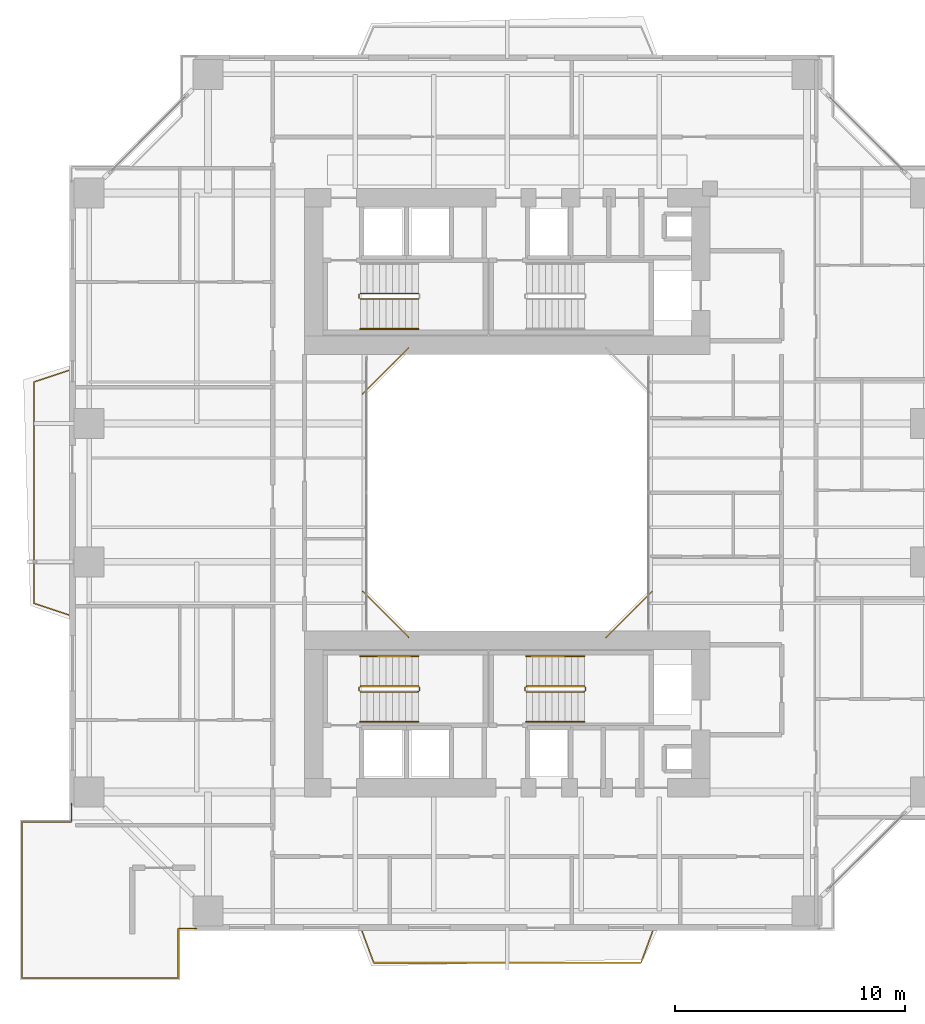
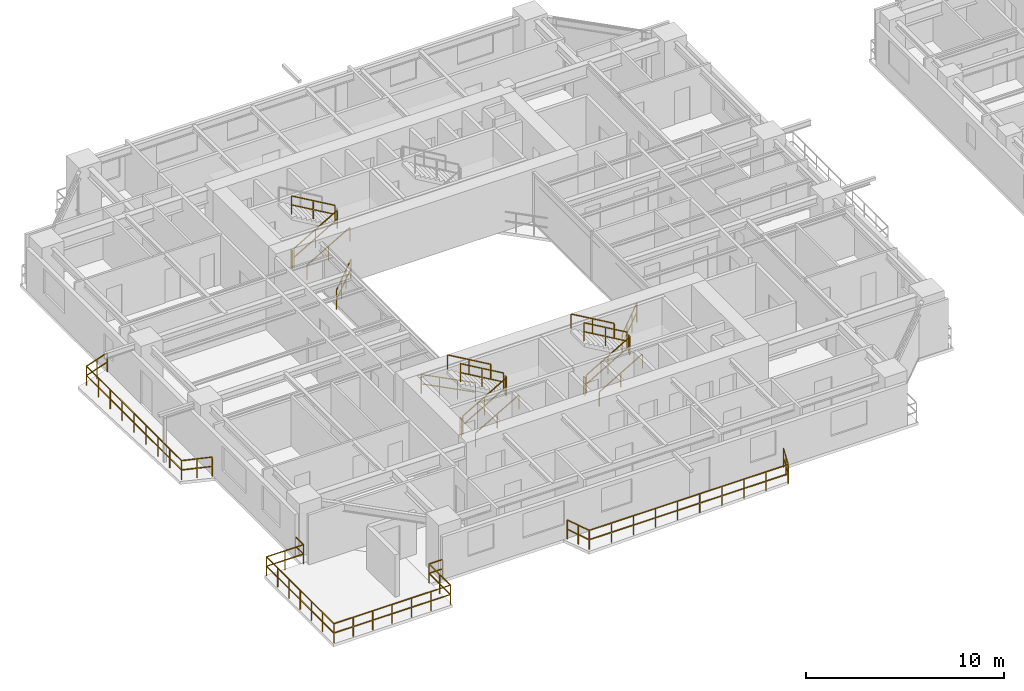
# One storey, part 19 of 22: 22 railings.
"""IFC4 building model written with IfcOpenShell, lengths in metres."""

from ifc_helpers import new_model, si_unit, direction, frame, origin, origin_2d, place, context, subcontext, project, spatial, rectangle, extrude, material, type_object, element, save


model = new_model("IFC4")

# Units and contexts
model_context = context("Model", 3, precision=1e-05, world=origin(), true_north=direction((0.0, 1.0)))
body_context = subcontext(model_context, "Body", "Model", "MODEL_VIEW")
ifc_project = project(units=[si_unit("LENGTHUNIT", "METRE"), si_unit("AREAUNIT", "SQUARE_METRE"), si_unit("VOLUMEUNIT", "CUBIC_METRE"), si_unit("PLANEANGLEUNIT", "RADIAN"), si_unit("MASSUNIT", "GRAM", prefix="KILO"), si_unit("THERMODYNAMICTEMPERATUREUNIT", "KELVIN"), si_unit("POWERUNIT", "WATT")], contexts=[model_context])

# Site, building, storey
site_placement = place(None, origin())
site = spatial("IfcSite", under=ifc_project, at=site_placement, CompositionType="ELEMENT")
building_placement = place(site_placement, origin())
building = spatial("IfcBuilding", under=site, at=building_placement, Name="Qiaomeng Ring Towers", CompositionType="ELEMENT")
storey_placement = place(building_placement, frame((0.0, 0.0, 53.5)))
storey = spatial("IfcBuildingStorey", under=building, at=storey_placement, Name="L14", CompositionType="ELEMENT", Elevation=53.5)

# Railings
ifc_material_1 = material(Name="Low-E pale-green laminated safety glass", Category="glass")
railing_type_1 = type_object("IfcRailingType", Name="ARC-RL-BAL1", PredefinedType="BALUSTRADE", material=ifc_material_1)
railing_1_placement = place(storey_placement, frame((23.280029296875, 16.719970703125, 0.0)))
element("IfcRailing", 1, at=railing_1_placement, inside=storey, type_object=railing_type_1, Name="L14 Balustrade ARC-BAL-WELL1-L14-1", PredefinedType="BALUSTRADE", context=body_context, shape_type="SweptSolid", body=[
    extrude(rectangle(XDim=0.048095703125, YDim=0.048095703125, at=origin_2d()), frame((0.0, 0.0, 1.17578125), z_axis=(0.707106781187, 0.707106781187, 0.0), x_axis=(-0.707106781187, 0.707106781187, 0.0)), (0.0, 0.0, 1.0), 2.828369140625),
    extrude(rectangle(XDim=0.048095703125, YDim=0.048095703125, at=origin_2d()), frame((0.0, 0.0, 0.60009765625), z_axis=(0.707106781187, 0.707106781187, 0.0), x_axis=(-0.707106781187, 0.707106781187, 0.0)), (0.0, 0.0, 1.0), 2.828369140625),
    extrude(rectangle(XDim=0.0419921875, YDim=0.0419921875, at=origin_2d()), origin(), (0.0, 0.0, 1.0), 1.15185546875),
    extrude(rectangle(XDim=0.0419921875, YDim=0.0419921875, at=origin_2d()), frame((0.666748046875, 0.666748046875, 0.0)), (0.0, 0.0, 1.0), 1.15185546875),
    extrude(rectangle(XDim=0.0419921875, YDim=0.0419921875, at=origin_2d()), frame((1.333251953125, 1.333251953125, 0.0)), (0.0, 0.0, 1.0), 1.15185546875),
    extrude(rectangle(XDim=0.0419921875, YDim=0.0419921875, at=origin_2d()), frame((2.0, 2.0, 0.0)), (0.0, 0.0, 1.0), 1.15185546875),
])
railing_2_placement = place(storey_placement, frame((14.719970703125, 29.280029296875, 0.0)))
element("IfcRailing", 2, at=railing_2_placement, inside=storey, type_object=railing_type_1, Name="L14 Balustrade ARC-BAL-WELL1-L14-3", PredefinedType="BALUSTRADE", context=body_context, shape_type="SweptSolid", body=[
    extrude(rectangle(XDim=0.048095703125, YDim=0.048095703125, at=origin_2d()), frame((0.0, 0.0, 1.17578125), z_axis=(-0.707106781187, -0.707106781187, 0.0), x_axis=(0.707106781187, -0.707106781187, 0.0)), (0.0, 0.0, 1.0), 2.828369140625),
    extrude(rectangle(XDim=0.048095703125, YDim=0.048095703125, at=origin_2d()), frame((0.0, 0.0, 0.60009765625), z_axis=(-0.707106781187, -0.707106781187, 0.0), x_axis=(0.707106781187, -0.707106781187, 0.0)), (0.0, 0.0, 1.0), 2.828369140625),
    extrude(rectangle(XDim=0.0419921875, YDim=0.0419921875, at=origin_2d()), origin(), (0.0, 0.0, 1.0), 1.15185546875),
    extrude(rectangle(XDim=0.0419921875, YDim=0.0419921875, at=origin_2d()), frame((-0.666748046875, -0.666748046875, 0.0)), (0.0, 0.0, 1.0), 1.15185546875),
    extrude(rectangle(XDim=0.0419921875, YDim=0.0419921875, at=origin_2d()), frame((-1.333251953125, -1.333251953125, 0.0)), (0.0, 0.0, 1.0), 1.15185546875),
    extrude(rectangle(XDim=0.0419921875, YDim=0.0419921875, at=origin_2d()), frame((-2.0, -2.0, 0.0)), (0.0, 0.0, 1.0), 1.15185546875),
])
railing_3_placement = place(storey_placement, frame((12.719970703125, 18.719970703125, 0.0)))
element("IfcRailing", 3, at=railing_3_placement, inside=storey, type_object=railing_type_1, Name="L14 Balustrade ARC-BAL-WELL1-L14-4", PredefinedType="BALUSTRADE", context=body_context, shape_type="SweptSolid", body=[
    extrude(rectangle(XDim=0.048095703125, YDim=0.048095703125, at=origin_2d()), frame((0.0, 0.0, 1.17578125), z_axis=(0.707106781187, -0.707106781187, 0.0), x_axis=(0.707106781187, 0.707106781187, 0.0)), (0.0, 0.0, 1.0), 2.828369140625),
    extrude(rectangle(XDim=0.048095703125, YDim=0.048095703125, at=origin_2d()), frame((0.0, 0.0, 0.60009765625), z_axis=(0.707106781187, -0.707106781187, 0.0), x_axis=(0.707106781187, 0.707106781187, 0.0)), (0.0, 0.0, 1.0), 2.828369140625),
    extrude(rectangle(XDim=0.0419921875, YDim=0.0419921875, at=origin_2d()), origin(), (0.0, 0.0, 1.0), 1.15185546875),
    extrude(rectangle(XDim=0.0419921875, YDim=0.0419921875, at=origin_2d()), frame((0.666748046875, -0.666748046875, 0.0)), (0.0, 0.0, 1.0), 1.15185546875),
    extrude(rectangle(XDim=0.0419921875, YDim=0.0419921875, at=origin_2d()), frame((1.333251953125, -1.333251953125, 0.0)), (0.0, 0.0, 1.0), 1.15185546875),
    extrude(rectangle(XDim=0.0419921875, YDim=0.0419921875, at=origin_2d()), frame((2.0, -2.0, 0.0)), (0.0, 0.0, 1.0), 1.15185546875),
])
railing_4_placement = place(storey_placement, frame((0.080078125, 9.52001953125, 0.0)))
element("IfcRailing", 4, at=railing_4_placement, inside=storey, type_object=railing_type_1, Name="L14 Balustrade ARC-BAL-L14-SPIRAL-SW", PredefinedType="BALUSTRADE", context=body_context, shape_type="SweptSolid", body=[
    extrude(rectangle(XDim=0.048095703125, YDim=0.048095703125, at=origin_2d()), frame((0.0, 0.0, 1.17578125), z_axis=(0.0, -1.0, 0.0), x_axis=(1.0, 0.0, 0.0)), (0.0, 0.0, 1.0), 0.800048828125),
    extrude(rectangle(XDim=0.048095703125, YDim=0.048095703125, at=origin_2d()), frame((0.0, 0.0, 0.60009765625), z_axis=(0.0, -1.0, 0.0), x_axis=(1.0, 0.0, 0.0)), (0.0, 0.0, 1.0), 0.800048828125),
    extrude(rectangle(XDim=0.048095703125, YDim=0.048095703125, at=origin_2d()), frame((0.0, -0.800048828125, 1.17578125), z_axis=(-1.0, 0.0, 0.0), x_axis=(0.0, -1.0, 0.0)), (0.0, 0.0, 1.0), 2.150146484375),
    extrude(rectangle(XDim=0.048095703125, YDim=0.048095703125, at=origin_2d()), frame((0.0, -0.800048828125, 0.60009765625), z_axis=(-1.0, 0.0, 0.0), x_axis=(0.0, -1.0, 0.0)), (0.0, 0.0, 1.0), 2.150146484375),
    extrude(rectangle(XDim=0.048095703125, YDim=0.048095703125, at=origin_2d()), frame((-2.150146484375, -0.800048828125, 1.17578125), z_axis=(0.0, -1.0, 0.0), x_axis=(1.0, 0.0, 0.0)), (0.0, 0.0, 1.0), 6.7900390625),
    extrude(rectangle(XDim=0.048095703125, YDim=0.048095703125, at=origin_2d()), frame((-2.150146484375, -0.800048828125, 0.60009765625), z_axis=(0.0, -1.0, 0.0), x_axis=(1.0, 0.0, 0.0)), (0.0, 0.0, 1.0), 6.7900390625),
    extrude(rectangle(XDim=0.048095703125, YDim=0.048095703125, at=origin_2d()), frame((-2.150146484375, -7.590087890625, 1.17578125), z_axis=(1.0, 0.0, 0.0), x_axis=(0.0, 1.0, 0.0)), (0.0, 0.0, 1.0), 6.7900390625),
    extrude(rectangle(XDim=0.048095703125, YDim=0.048095703125, at=origin_2d()), frame((-2.150146484375, -7.590087890625, 0.60009765625), z_axis=(1.0, 0.0, 0.0), x_axis=(0.0, 1.0, 0.0)), (0.0, 0.0, 1.0), 6.7900390625),
    extrude(rectangle(XDim=0.048095703125, YDim=0.048095703125, at=origin_2d()), frame((4.639892578125, -7.590087890625, 1.17578125), z_axis=(0.0, 1.0, 0.0), x_axis=(-1.0, 0.0, 0.0)), (0.0, 0.0, 1.0), 2.150146484375),
    extrude(rectangle(XDim=0.048095703125, YDim=0.048095703125, at=origin_2d()), frame((4.639892578125, -7.590087890625, 0.60009765625), z_axis=(0.0, 1.0, 0.0), x_axis=(-1.0, 0.0, 0.0)), (0.0, 0.0, 1.0), 2.150146484375),
    extrude(rectangle(XDim=0.048095703125, YDim=0.048095703125, at=origin_2d()), frame((4.639892578125, -5.43994140625, 1.17578125), z_axis=(1.0, 0.0, 0.0), x_axis=(0.0, 1.0, 0.0)), (0.0, 0.0, 1.0), 0.800048828125),
    extrude(rectangle(XDim=0.048095703125, YDim=0.048095703125, at=origin_2d()), frame((4.639892578125, -5.43994140625, 0.60009765625), z_axis=(1.0, 0.0, 0.0), x_axis=(0.0, 1.0, 0.0)), (0.0, 0.0, 1.0), 0.800048828125),
    extrude(rectangle(XDim=0.0419921875, YDim=0.0419921875, at=origin_2d()), origin(), (0.0, 0.0, 1.0), 1.15185546875),
    extrude(rectangle(XDim=0.0419921875, YDim=0.0419921875, at=origin_2d()), frame((0.0, -0.800048828125, 0.0)), (0.0, 0.0, 1.0), 1.15185546875),
    extrude(rectangle(XDim=0.0419921875, YDim=0.0419921875, at=origin_2d()), frame((-1.0751953125, -0.800048828125, 0.0)), (0.0, 0.0, 1.0), 1.15185546875),
    extrude(rectangle(XDim=0.0419921875, YDim=0.0419921875, at=origin_2d()), frame((-2.150146484375, -0.800048828125, 0.0)), (0.0, 0.0, 1.0), 1.15185546875),
    extrude(rectangle(XDim=0.0419921875, YDim=0.0419921875, at=origin_2d()), frame((-2.150146484375, -1.931640625, 0.0)), (0.0, 0.0, 1.0), 1.15185546875),
    extrude(rectangle(XDim=0.0419921875, YDim=0.0419921875, at=origin_2d()), frame((-2.150146484375, -3.0634765625, 0.0)), (0.0, 0.0, 1.0), 1.15185546875),
    extrude(rectangle(XDim=0.0419921875, YDim=0.0419921875, at=origin_2d()), frame((-2.150146484375, -4.195068359375, 0.0)), (0.0, 0.0, 1.0), 1.15185546875),
    extrude(rectangle(XDim=0.0419921875, YDim=0.0419921875, at=origin_2d()), frame((-2.150146484375, -5.32666015625, 0.0)), (0.0, 0.0, 1.0), 1.15185546875),
    extrude(rectangle(XDim=0.0419921875, YDim=0.0419921875, at=origin_2d()), frame((-2.150146484375, -6.45849609375, 0.0)), (0.0, 0.0, 1.0), 1.15185546875),
    extrude(rectangle(XDim=0.0419921875, YDim=0.0419921875, at=origin_2d()), frame((-2.150146484375, -7.590087890625, 0.0)), (0.0, 0.0, 1.0), 1.15185546875),
    extrude(rectangle(XDim=0.0419921875, YDim=0.0419921875, at=origin_2d()), frame((-1.0185546875, -7.590087890625, 0.0)), (0.0, 0.0, 1.0), 1.15185546875),
    extrude(rectangle(XDim=0.0419921875, YDim=0.0419921875, at=origin_2d()), frame((0.11328125, -7.590087890625, 0.0)), (0.0, 0.0, 1.0), 1.15185546875),
    extrude(rectangle(XDim=0.0419921875, YDim=0.0419921875, at=origin_2d()), frame((1.244873046875, -7.590087890625, 0.0)), (0.0, 0.0, 1.0), 1.15185546875),
    extrude(rectangle(XDim=0.0419921875, YDim=0.0419921875, at=origin_2d()), frame((2.37646484375, -7.590087890625, 0.0)), (0.0, 0.0, 1.0), 1.15185546875),
    extrude(rectangle(XDim=0.0419921875, YDim=0.0419921875, at=origin_2d()), frame((3.50830078125, -7.590087890625, 0.0)), (0.0, 0.0, 1.0), 1.15185546875),
    extrude(rectangle(XDim=0.0419921875, YDim=0.0419921875, at=origin_2d()), frame((4.639892578125, -7.590087890625, 0.0)), (0.0, 0.0, 1.0), 1.15185546875),
    extrude(rectangle(XDim=0.0419921875, YDim=0.0419921875, at=origin_2d()), frame((4.639892578125, -6.51513671875, 0.0)), (0.0, 0.0, 1.0), 1.15185546875),
    extrude(rectangle(XDim=0.0419921875, YDim=0.0419921875, at=origin_2d()), frame((4.639892578125, -5.43994140625, 0.0)), (0.0, 0.0, 1.0), 1.15185546875),
    extrude(rectangle(XDim=0.0419921875, YDim=0.0419921875, at=origin_2d()), frame((5.43994140625, -5.43994140625, 0.0)), (0.0, 0.0, 1.0), 1.15185546875),
])
railing_5_placement = place(storey_placement, frame((12.699951171875, 3.949951171875, 0.0)))
element("IfcRailing", 5, at=railing_5_placement, inside=storey, type_object=railing_type_1, Name="L14 Balustrade ARC-BAL-L14-T1-S", PredefinedType="BALUSTRADE", context=body_context, shape_type="SweptSolid", body=[
    extrude(rectangle(XDim=0.048095703125, YDim=0.048095703125, at=origin_2d()), frame((0.0, 0.0, 1.17578125), z_axis=(0.347347498827, -0.937736484871, 0.0), x_axis=(0.937736484871, 0.347347498827, 0.0)), (0.0, 0.0, 1.0), 1.439453125),
    extrude(rectangle(XDim=0.048095703125, YDim=0.048095703125, at=origin_2d()), frame((0.0, 0.0, 0.60009765625), z_axis=(0.347347498827, -0.937736484871, 0.0), x_axis=(0.937736484871, 0.347347498827, 0.0)), (0.0, 0.0, 1.0), 1.439453125),
    extrude(rectangle(XDim=0.048095703125, YDim=0.048095703125, at=origin_2d()), frame((0.5, -1.349853515625, 1.17578125), z_axis=(1.0, 0.0, 0.0), x_axis=(0.0, 1.0, 0.0)), (0.0, 0.0, 1.0), 11.60009765625),
    extrude(rectangle(XDim=0.048095703125, YDim=0.048095703125, at=origin_2d()), frame((0.5, -1.349853515625, 0.60009765625), z_axis=(1.0, 0.0, 0.0), x_axis=(0.0, 1.0, 0.0)), (0.0, 0.0, 1.0), 11.60009765625),
    extrude(rectangle(XDim=0.048095703125, YDim=0.048095703125, at=origin_2d()), frame((12.10009765625, -1.349853515625, 1.17578125), z_axis=(0.347347498827, 0.937736484871, 0.0), x_axis=(-0.937736484871, 0.347347498827, 0.0)), (0.0, 0.0, 1.0), 1.439453125),
    extrude(rectangle(XDim=0.048095703125, YDim=0.048095703125, at=origin_2d()), frame((12.10009765625, -1.349853515625, 0.60009765625), z_axis=(0.347347498827, 0.937736484871, 0.0), x_axis=(-0.937736484871, 0.347347498827, 0.0)), (0.0, 0.0, 1.0), 1.439453125),
    extrude(rectangle(XDim=0.0419921875, YDim=0.0419921875, at=origin_2d()), origin(), (0.0, 0.0, 1.0), 1.15185546875),
    extrude(rectangle(XDim=0.0419921875, YDim=0.0419921875, at=origin_2d()), frame((0.25, -0.6748046875, 0.0)), (0.0, 0.0, 1.0), 1.15185546875),
    extrude(rectangle(XDim=0.0419921875, YDim=0.0419921875, at=origin_2d()), frame((0.5, -1.349853515625, 0.0)), (0.0, 0.0, 1.0), 1.15185546875),
    extrude(rectangle(XDim=0.0419921875, YDim=0.0419921875, at=origin_2d()), frame((1.788818359375, -1.349853515625, 0.0)), (0.0, 0.0, 1.0), 1.15185546875),
    extrude(rectangle(XDim=0.0419921875, YDim=0.0419921875, at=origin_2d()), frame((3.077880859375, -1.349853515625, 0.0)), (0.0, 0.0, 1.0), 1.15185546875),
    extrude(rectangle(XDim=0.0419921875, YDim=0.0419921875, at=origin_2d()), frame((4.36669921875, -1.349853515625, 0.0)), (0.0, 0.0, 1.0), 1.15185546875),
    extrude(rectangle(XDim=0.0419921875, YDim=0.0419921875, at=origin_2d()), frame((5.655517578125, -1.349853515625, 0.0)), (0.0, 0.0, 1.0), 1.15185546875),
    extrude(rectangle(XDim=0.0419921875, YDim=0.0419921875, at=origin_2d()), frame((6.944580078125, -1.349853515625, 0.0)), (0.0, 0.0, 1.0), 1.15185546875),
    extrude(rectangle(XDim=0.0419921875, YDim=0.0419921875, at=origin_2d()), frame((8.2333984375, -1.349853515625, 0.0)), (0.0, 0.0, 1.0), 1.15185546875),
    extrude(rectangle(XDim=0.0419921875, YDim=0.0419921875, at=origin_2d()), frame((9.522216796875, -1.349853515625, 0.0)), (0.0, 0.0, 1.0), 1.15185546875),
    extrude(rectangle(XDim=0.0419921875, YDim=0.0419921875, at=origin_2d()), frame((10.811279296875, -1.349853515625, 0.0)), (0.0, 0.0, 1.0), 1.15185546875),
    extrude(rectangle(XDim=0.0419921875, YDim=0.0419921875, at=origin_2d()), frame((12.10009765625, -1.349853515625, 0.0)), (0.0, 0.0, 1.0), 1.15185546875),
    extrude(rectangle(XDim=0.0419921875, YDim=0.0419921875, at=origin_2d()), frame((12.35009765625, -0.6748046875, 0.0)), (0.0, 0.0, 1.0), 1.15185546875),
    extrude(rectangle(XDim=0.0419921875, YDim=0.0419921875, at=origin_2d()), frame((12.60009765625, 0.0, 0.0)), (0.0, 0.0, 1.0), 1.15185546875),
])
railing_6_placement = place(storey_placement, frame((-0.050048828125, 17.699951171875, 0.0)))
element("IfcRailing", 6, at=railing_6_placement, inside=storey, type_object=railing_type_1, Name="L14 Balustrade ARC-BAL-L14-T1-W", PredefinedType="BALUSTRADE", context=body_context, shape_type="SweptSolid", body=[
    extrude(rectangle(XDim=0.048095703125, YDim=0.048095703125, at=origin_2d()), frame((0.0, 0.0, 1.17578125), z_axis=(-0.948683298051, 0.316227766017, 0.0), x_axis=(-0.316227766017, -0.948683298051, 0.0)), (0.0, 0.0, 1.0), 1.5810546875),
    extrude(rectangle(XDim=0.048095703125, YDim=0.048095703125, at=origin_2d()), frame((0.0, 0.0, 0.60009765625), z_axis=(-0.948683298051, 0.316227766017, 0.0), x_axis=(-0.316227766017, -0.948683298051, 0.0)), (0.0, 0.0, 1.0), 1.5810546875),
    extrude(rectangle(XDim=0.048095703125, YDim=0.048095703125, at=origin_2d()), frame((-1.5, 0.5, 1.17578125), z_axis=(0.0, 1.0, 0.0), x_axis=(-1.0, 0.0, 0.0)), (0.0, 0.0, 1.0), 9.60009765625),
    extrude(rectangle(XDim=0.048095703125, YDim=0.048095703125, at=origin_2d()), frame((-1.5, 0.5, 0.60009765625), z_axis=(0.0, 1.0, 0.0), x_axis=(-1.0, 0.0, 0.0)), (0.0, 0.0, 1.0), 9.60009765625),
    extrude(rectangle(XDim=0.048095703125, YDim=0.048095703125, at=origin_2d()), frame((-1.5, 10.10009765625, 1.17578125), z_axis=(0.948683298051, 0.316227766017, 0.0), x_axis=(-0.316227766017, 0.948683298051, 0.0)), (0.0, 0.0, 1.0), 1.5810546875),
    extrude(rectangle(XDim=0.048095703125, YDim=0.048095703125, at=origin_2d()), frame((-1.5, 10.10009765625, 0.60009765625), z_axis=(0.948683298051, 0.316227766017, 0.0), x_axis=(-0.316227766017, 0.948683298051, 0.0)), (0.0, 0.0, 1.0), 1.5810546875),
    extrude(rectangle(XDim=0.0419921875, YDim=0.0419921875, at=origin_2d()), origin(), (0.0, 0.0, 1.0), 1.15185546875),
    extrude(rectangle(XDim=0.0419921875, YDim=0.0419921875, at=origin_2d()), frame((-0.75, 0.25, 0.0)), (0.0, 0.0, 1.0), 1.15185546875),
    extrude(rectangle(XDim=0.0419921875, YDim=0.0419921875, at=origin_2d()), frame((-1.5, 0.5, 0.0)), (0.0, 0.0, 1.0), 1.15185546875),
    extrude(rectangle(XDim=0.0419921875, YDim=0.0419921875, at=origin_2d()), frame((-1.5, 1.699951171875, 0.0)), (0.0, 0.0, 1.0), 1.15185546875),
    extrude(rectangle(XDim=0.0419921875, YDim=0.0419921875, at=origin_2d()), frame((-1.5, 2.89990234375, 0.0)), (0.0, 0.0, 1.0), 1.15185546875),
    extrude(rectangle(XDim=0.0419921875, YDim=0.0419921875, at=origin_2d()), frame((-1.5, 4.10009765625, 0.0)), (0.0, 0.0, 1.0), 1.15185546875),
    extrude(rectangle(XDim=0.0419921875, YDim=0.0419921875, at=origin_2d()), frame((-1.5, 5.300048828125, 0.0)), (0.0, 0.0, 1.0), 1.15185546875),
    extrude(rectangle(XDim=0.0419921875, YDim=0.0419921875, at=origin_2d()), frame((-1.5, 6.5, 0.0)), (0.0, 0.0, 1.0), 1.15185546875),
    extrude(rectangle(XDim=0.0419921875, YDim=0.0419921875, at=origin_2d()), frame((-1.5, 7.7001953125, 0.0)), (0.0, 0.0, 1.0), 1.15185546875),
    extrude(rectangle(XDim=0.0419921875, YDim=0.0419921875, at=origin_2d()), frame((-1.5, 8.900146484375, 0.0)), (0.0, 0.0, 1.0), 1.15185546875),
    extrude(rectangle(XDim=0.0419921875, YDim=0.0419921875, at=origin_2d()), frame((-1.5, 10.10009765625, 0.0)), (0.0, 0.0, 1.0), 1.15185546875),
    extrude(rectangle(XDim=0.0419921875, YDim=0.0419921875, at=origin_2d()), frame((-0.75, 10.35009765625, 0.0)), (0.0, 0.0, 1.0), 1.15185546875),
    extrude(rectangle(XDim=0.0419921875, YDim=0.0419921875, at=origin_2d()), frame((0.0, 10.60009765625, 0.0)), (0.0, 0.0, 1.0), 1.15185546875),
])
ifc_material_2 = material(Name="Galvanised steel", Category="steel")
railing_type_2 = type_object("IfcRailingType", Name="ARC-RL-GUARD", PredefinedType="GUARDRAIL", material=ifc_material_2)
railing_7_placement = place(storey_placement, frame((12.6201171875, 31.39990234375, 0.16259765625)))
element("IfcRailing", 7, at=railing_7_placement, inside=storey, type_object=railing_type_2, Name="L14 ST1 stair guard 1", PredefinedType="GUARDRAIL", context=body_context, shape_type="SweptSolid", body=[
    extrude(rectangle(XDim=0.048095703125, YDim=0.048095703125, at=origin_2d()), frame((0.0, 0.0, 1.1259765625), z_axis=(0.864892226395, 0.0, 0.501957604506), x_axis=(0.0, 1.0, 0.0)), (0.0, 0.0, 1.0), 2.913330078125),
    extrude(rectangle(XDim=0.048095703125, YDim=0.048095703125, at=origin_2d()), frame((0.0, 0.0, 0.574951171875), z_axis=(0.864892226395, 0.0, 0.501957604506), x_axis=(0.0, 1.0, 0.0)), (0.0, 0.0, 1.0), 2.913330078125),
    extrude(rectangle(XDim=0.0419921875, YDim=0.0419921875, at=origin_2d()), origin(), (0.0, 0.0, 1.0), 1.101806640625),
    extrude(rectangle(XDim=0.0419921875, YDim=0.0419921875, at=origin_2d()), frame((1.259765625, 0.0, 0.731201171875)), (0.0, 0.0, 1.0), 1.101806640625),
    extrude(rectangle(XDim=0.0419921875, YDim=0.0419921875, at=origin_2d()), frame((2.519775390625, 0.0, 1.46240234375)), (0.0, 0.0, 1.0), 1.101806640625),
])
railing_8_placement = place(storey_placement, frame((15.139892578125, 31.639892578125, 1.78759765625)))
element("IfcRailing", 8, at=railing_8_placement, inside=storey, type_object=railing_type_2, Name="L14 ST1 stair guard 3", PredefinedType="GUARDRAIL", context=body_context, shape_type="SweptSolid", body=[
    extrude(rectangle(XDim=0.048095703125, YDim=0.048095703125, at=origin_2d()), frame((0.0, 0.0, 1.1259765625), z_axis=(-0.864892226395, 0.0, 0.501957604506), x_axis=(0.0, -1.0, 0.0)), (0.0, 0.0, 1.0), 2.913330078125),
    extrude(rectangle(XDim=0.048095703125, YDim=0.048095703125, at=origin_2d()), frame((0.0, 0.0, 0.574951171875), z_axis=(-0.864892226395, 0.0, 0.501957604506), x_axis=(0.0, -1.0, 0.0)), (0.0, 0.0, 1.0), 2.913330078125),
    extrude(rectangle(XDim=0.0419921875, YDim=0.0419921875, at=origin_2d()), origin(), (0.0, 0.0, 1.0), 1.101806640625),
    extrude(rectangle(XDim=0.0419921875, YDim=0.0419921875, at=origin_2d()), frame((-1.259765625, 0.0, 0.731201171875)), (0.0, 0.0, 1.0), 1.101806640625),
    extrude(rectangle(XDim=0.0419921875, YDim=0.0419921875, at=origin_2d()), frame((-2.519775390625, 0.0, 1.46240234375)), (0.0, 0.0, 1.0), 1.101806640625),
])
railing_9_placement = place(storey_placement, frame((12.570068359375, 31.449951171875, 0.0)))
element("IfcRailing", 9, at=railing_9_placement, inside=storey, type_object=railing_type_2, Name="L14 ST1 stair guard 4", PredefinedType="GUARDRAIL", context=body_context, shape_type="SweptSolid", body=[
    extrude(rectangle(XDim=0.048095703125, YDim=0.048095703125, at=origin_2d()), frame((0.0, 0.0, 1.1259765625), z_axis=(0.0, 1.0, 0.0), x_axis=(-1.0, 0.0, 0.0)), (0.0, 0.0, 1.0), 0.14013671875),
    extrude(rectangle(XDim=0.048095703125, YDim=0.048095703125, at=origin_2d()), frame((0.0, 0.0, 0.574951171875), z_axis=(0.0, 1.0, 0.0), x_axis=(-1.0, 0.0, 0.0)), (0.0, 0.0, 1.0), 0.14013671875),
    extrude(rectangle(XDim=0.0419921875, YDim=0.0419921875, at=origin_2d()), origin(), (0.0, 0.0, 1.0), 1.101806640625),
    extrude(rectangle(XDim=0.0419921875, YDim=0.0419921875, at=origin_2d()), frame((0.0, 0.14013671875, 0.0)), (0.0, 0.0, 1.0), 1.101806640625),
])
railing_10_placement = place(storey_placement, frame((12.6201171875, 14.360107421875, 0.16259765625)))
element("IfcRailing", 10, at=railing_10_placement, inside=storey, type_object=railing_type_2, Name="L14 ST3 stair guard 1", PredefinedType="GUARDRAIL", context=body_context, shape_type="SweptSolid", body=[
    extrude(rectangle(XDim=0.048095703125, YDim=0.048095703125, at=origin_2d()), frame((0.0, 0.0, 1.1259765625), z_axis=(0.864892226395, 0.0, 0.501957604506), x_axis=(0.0, 1.0, 0.0)), (0.0, 0.0, 1.0), 2.913330078125),
    extrude(rectangle(XDim=0.048095703125, YDim=0.048095703125, at=origin_2d()), frame((0.0, 0.0, 0.574951171875), z_axis=(0.864892226395, 0.0, 0.501957604506), x_axis=(0.0, 1.0, 0.0)), (0.0, 0.0, 1.0), 2.913330078125),
    extrude(rectangle(XDim=0.0419921875, YDim=0.0419921875, at=origin_2d()), origin(), (0.0, 0.0, 1.0), 1.101806640625),
    extrude(rectangle(XDim=0.0419921875, YDim=0.0419921875, at=origin_2d()), frame((1.259765625, 0.0, 0.731201171875)), (0.0, 0.0, 1.0), 1.101806640625),
    extrude(rectangle(XDim=0.0419921875, YDim=0.0419921875, at=origin_2d()), frame((2.519775390625, 0.0, 1.46240234375)), (0.0, 0.0, 1.0), 1.101806640625),
])
railing_11_placement = place(storey_placement, frame((15.18994140625, 14.409912109375, 1.625)))
element("IfcRailing", 11, at=railing_11_placement, inside=storey, type_object=railing_type_2, Name="L14 ST3 stair guard 2", PredefinedType="GUARDRAIL", context=body_context, shape_type="SweptSolid", body=[
    extrude(rectangle(XDim=0.048095703125, YDim=0.048095703125, at=origin_2d()), frame((0.0, 0.0, 1.1259765625), z_axis=(0.0, 1.0, 0.0), x_axis=(-1.0, 0.0, 0.0)), (0.0, 0.0, 1.0), 0.14013671875),
    extrude(rectangle(XDim=0.048095703125, YDim=0.048095703125, at=origin_2d()), frame((0.0, 0.0, 0.574951171875), z_axis=(0.0, 1.0, 0.0), x_axis=(-1.0, 0.0, 0.0)), (0.0, 0.0, 1.0), 0.14013671875),
    extrude(rectangle(XDim=0.0419921875, YDim=0.0419921875, at=origin_2d()), origin(), (0.0, 0.0, 1.0), 1.101806640625),
    extrude(rectangle(XDim=0.0419921875, YDim=0.0419921875, at=origin_2d()), frame((0.0, 0.14013671875, 0.0)), (0.0, 0.0, 1.0), 1.101806640625),
])
railing_12_placement = place(storey_placement, frame((15.139892578125, 14.60009765625, 1.78759765625)))
element("IfcRailing", 12, at=railing_12_placement, inside=storey, type_object=railing_type_2, Name="L14 ST3 stair guard 3", PredefinedType="GUARDRAIL", context=body_context, shape_type="SweptSolid", body=[
    extrude(rectangle(XDim=0.048095703125, YDim=0.048095703125, at=origin_2d()), frame((0.0, 0.0, 1.1259765625), z_axis=(-0.864892226395, 0.0, 0.501957604506), x_axis=(0.0, -1.0, 0.0)), (0.0, 0.0, 1.0), 2.913330078125),
    extrude(rectangle(XDim=0.048095703125, YDim=0.048095703125, at=origin_2d()), frame((0.0, 0.0, 0.574951171875), z_axis=(-0.864892226395, 0.0, 0.501957604506), x_axis=(0.0, -1.0, 0.0)), (0.0, 0.0, 1.0), 2.913330078125),
    extrude(rectangle(XDim=0.0419921875, YDim=0.0419921875, at=origin_2d()), origin(), (0.0, 0.0, 1.0), 1.101806640625),
    extrude(rectangle(XDim=0.0419921875, YDim=0.0419921875, at=origin_2d()), frame((-1.259765625, 0.0, 0.731201171875)), (0.0, 0.0, 1.0), 1.101806640625),
    extrude(rectangle(XDim=0.0419921875, YDim=0.0419921875, at=origin_2d()), frame((-2.519775390625, 0.0, 1.46240234375)), (0.0, 0.0, 1.0), 1.101806640625),
])
railing_13_placement = place(storey_placement, frame((12.570068359375, 14.409912109375, 0.0)))
element("IfcRailing", 13, at=railing_13_placement, inside=storey, type_object=railing_type_2, Name="L14 ST3 stair guard 4", PredefinedType="GUARDRAIL", context=body_context, shape_type="SweptSolid", body=[
    extrude(rectangle(XDim=0.048095703125, YDim=0.048095703125, at=origin_2d()), frame((0.0, 0.0, 1.1259765625), z_axis=(0.0, 1.0, 0.0), x_axis=(-1.0, 0.0, 0.0)), (0.0, 0.0, 1.0), 0.14013671875),
    extrude(rectangle(XDim=0.048095703125, YDim=0.048095703125, at=origin_2d()), frame((0.0, 0.0, 0.574951171875), z_axis=(0.0, 1.0, 0.0), x_axis=(-1.0, 0.0, 0.0)), (0.0, 0.0, 1.0), 0.14013671875),
    extrude(rectangle(XDim=0.0419921875, YDim=0.0419921875, at=origin_2d()), origin(), (0.0, 0.0, 1.0), 1.101806640625),
    extrude(rectangle(XDim=0.0419921875, YDim=0.0419921875, at=origin_2d()), frame((0.0, 0.14013671875, 0.0)), (0.0, 0.0, 1.0), 1.101806640625),
])
railing_14_placement = place(storey_placement, frame((19.820068359375, 14.360107421875, 0.16259765625)))
element("IfcRailing", 14, at=railing_14_placement, inside=storey, type_object=railing_type_2, Name="L14 ST4 stair guard 1", PredefinedType="GUARDRAIL", context=body_context, shape_type="SweptSolid", body=[
    extrude(rectangle(XDim=0.048095703125, YDim=0.048095703125, at=origin_2d()), frame((0.0, 0.0, 1.1259765625), z_axis=(0.864913338283, 0.0, 0.50192122615), x_axis=(0.0, 1.0, 0.0)), (0.0, 0.0, 1.0), 2.91357421875),
    extrude(rectangle(XDim=0.048095703125, YDim=0.048095703125, at=origin_2d()), frame((0.0, 0.0, 0.574951171875), z_axis=(0.864913338283, 0.0, 0.50192122615), x_axis=(0.0, 1.0, 0.0)), (0.0, 0.0, 1.0), 2.91357421875),
    extrude(rectangle(XDim=0.0419921875, YDim=0.0419921875, at=origin_2d()), origin(), (0.0, 0.0, 1.0), 1.101806640625),
    extrude(rectangle(XDim=0.0419921875, YDim=0.0419921875, at=origin_2d()), frame((1.260009765625, 0.0, 0.731201171875)), (0.0, 0.0, 1.0), 1.101806640625),
    extrude(rectangle(XDim=0.0419921875, YDim=0.0419921875, at=origin_2d()), frame((2.52001953125, 0.0, 1.46240234375)), (0.0, 0.0, 1.0), 1.101806640625),
])
railing_15_placement = place(storey_placement, frame((22.389892578125, 14.409912109375, 1.625)))
element("IfcRailing", 15, at=railing_15_placement, inside=storey, type_object=railing_type_2, Name="L14 ST4 stair guard 2", PredefinedType="GUARDRAIL", context=body_context, shape_type="SweptSolid", body=[
    extrude(rectangle(XDim=0.048095703125, YDim=0.048095703125, at=origin_2d()), frame((0.0, 0.0, 1.1259765625), z_axis=(0.0, 1.0, 0.0), x_axis=(-1.0, 0.0, 0.0)), (0.0, 0.0, 1.0), 0.14013671875),
    extrude(rectangle(XDim=0.048095703125, YDim=0.048095703125, at=origin_2d()), frame((0.0, 0.0, 0.574951171875), z_axis=(0.0, 1.0, 0.0), x_axis=(-1.0, 0.0, 0.0)), (0.0, 0.0, 1.0), 0.14013671875),
    extrude(rectangle(XDim=0.0419921875, YDim=0.0419921875, at=origin_2d()), origin(), (0.0, 0.0, 1.0), 1.101806640625),
    extrude(rectangle(XDim=0.0419921875, YDim=0.0419921875, at=origin_2d()), frame((0.0, 0.14013671875, 0.0)), (0.0, 0.0, 1.0), 1.101806640625),
])
railing_16_placement = place(storey_placement, frame((22.340087890625, 14.60009765625, 1.78759765625)))
element("IfcRailing", 16, at=railing_16_placement, inside=storey, type_object=railing_type_2, Name="L14 ST4 stair guard 3", PredefinedType="GUARDRAIL", context=body_context, shape_type="SweptSolid", body=[
    extrude(rectangle(XDim=0.048095703125, YDim=0.048095703125, at=origin_2d()), frame((0.0, 0.0, 1.1259765625), z_axis=(-0.864913338283, 0.0, 0.50192122615), x_axis=(0.0, -1.0, 0.0)), (0.0, 0.0, 1.0), 2.91357421875),
    extrude(rectangle(XDim=0.048095703125, YDim=0.048095703125, at=origin_2d()), frame((0.0, 0.0, 0.574951171875), z_axis=(-0.864913338283, 0.0, 0.50192122615), x_axis=(0.0, -1.0, 0.0)), (0.0, 0.0, 1.0), 2.91357421875),
    extrude(rectangle(XDim=0.0419921875, YDim=0.0419921875, at=origin_2d()), origin(), (0.0, 0.0, 1.0), 1.101806640625),
    extrude(rectangle(XDim=0.0419921875, YDim=0.0419921875, at=origin_2d()), frame((-1.260009765625, 0.0, 0.731201171875)), (0.0, 0.0, 1.0), 1.101806640625),
    extrude(rectangle(XDim=0.0419921875, YDim=0.0419921875, at=origin_2d()), frame((-2.52001953125, 0.0, 1.46240234375)), (0.0, 0.0, 1.0), 1.101806640625),
])
railing_17_placement = place(storey_placement, frame((19.77001953125, 14.409912109375, 0.0)))
element("IfcRailing", 17, at=railing_17_placement, inside=storey, type_object=railing_type_2, Name="L14 ST4 stair guard 4", PredefinedType="GUARDRAIL", context=body_context, shape_type="SweptSolid", body=[
    extrude(rectangle(XDim=0.048095703125, YDim=0.048095703125, at=origin_2d()), frame((0.0, 0.0, 1.1259765625), z_axis=(0.0, 1.0, 0.0), x_axis=(-1.0, 0.0, 0.0)), (0.0, 0.0, 1.0), 0.14013671875),
    extrude(rectangle(XDim=0.048095703125, YDim=0.048095703125, at=origin_2d()), frame((0.0, 0.0, 0.574951171875), z_axis=(0.0, 1.0, 0.0), x_axis=(-1.0, 0.0, 0.0)), (0.0, 0.0, 1.0), 0.14013671875),
    extrude(rectangle(XDim=0.0419921875, YDim=0.0419921875, at=origin_2d()), origin(), (0.0, 0.0, 1.0), 1.101806640625),
    extrude(rectangle(XDim=0.0419921875, YDim=0.0419921875, at=origin_2d()), frame((0.0, 0.14013671875, 0.0)), (0.0, 0.0, 1.0), 1.101806640625),
])
ifc_material_3 = material(Name="Stainless steel 316", Category="steel")
railing_type_3 = type_object("IfcRailingType", Name="ARC-RL-HAND", PredefinedType="HANDRAIL", material=ifc_material_3)
for number, where, name in (
    (18, (12.6201171875, 30.10009765625, 0.16259765625), "L14 ST1 stair handrail 1"),
    (19, (12.6201171875, 13.06005859375, 0.16259765625), "L14 ST3 stair handrail 1"),
):
    element("IfcRailing", number, at=place(storey_placement, frame(where)), inside=storey, type_object=railing_type_3, Name=name, PredefinedType="HANDRAIL", context=body_context, shape_type="SweptSolid", body=[
        extrude(rectangle(XDim=0.048095703125, YDim=0.048095703125, at=origin_2d()), frame((0.0, 0.0, 0.8759765625), z_axis=(0.864892226395, 0.0, 0.501957604506), x_axis=(0.0, 1.0, 0.0)), (0.0, 0.0, 1.0), 2.913330078125),
        extrude(rectangle(XDim=0.0419921875, YDim=0.0419921875, at=origin_2d()), origin(), (0.0, 0.0, 1.0), 0.851806640625),
        extrude(rectangle(XDim=0.0419921875, YDim=0.0419921875, at=origin_2d()), frame((1.259765625, 0.0, 0.731201171875)), (0.0, 0.0, 1.0), 0.851806640625),
        extrude(rectangle(XDim=0.0419921875, YDim=0.0419921875, at=origin_2d()), frame((2.519775390625, 0.0, 1.46240234375)), (0.0, 0.0, 1.0), 0.851806640625),
    ])
railing_18_placement = place(storey_placement, frame((15.139892578125, 15.89990234375, 1.78759765625)))
element("IfcRailing", 20, at=railing_18_placement, inside=storey, type_object=railing_type_3, Name="L14 ST3 stair handrail 2", PredefinedType="HANDRAIL", context=body_context, shape_type="SweptSolid", body=[
    extrude(rectangle(XDim=0.048095703125, YDim=0.048095703125, at=origin_2d()), frame((0.0, 0.0, 0.8759765625), z_axis=(-0.864892226395, 0.0, 0.501957604506), x_axis=(0.0, -1.0, 0.0)), (0.0, 0.0, 1.0), 2.913330078125),
    extrude(rectangle(XDim=0.0419921875, YDim=0.0419921875, at=origin_2d()), origin(), (0.0, 0.0, 1.0), 0.851806640625),
    extrude(rectangle(XDim=0.0419921875, YDim=0.0419921875, at=origin_2d()), frame((-1.259765625, 0.0, 0.731201171875)), (0.0, 0.0, 1.0), 0.851806640625),
    extrude(rectangle(XDim=0.0419921875, YDim=0.0419921875, at=origin_2d()), frame((-2.519775390625, 0.0, 1.46240234375)), (0.0, 0.0, 1.0), 0.851806640625),
])
railing_19_placement = place(storey_placement, frame((19.820068359375, 13.06005859375, 0.16259765625)))
element("IfcRailing", 21, at=railing_19_placement, inside=storey, type_object=railing_type_3, Name="L14 ST4 stair handrail 1", PredefinedType="HANDRAIL", context=body_context, shape_type="SweptSolid", body=[
    extrude(rectangle(XDim=0.048095703125, YDim=0.048095703125, at=origin_2d()), frame((0.0, 0.0, 0.8759765625), z_axis=(0.864913338283, 0.0, 0.50192122615), x_axis=(0.0, 1.0, 0.0)), (0.0, 0.0, 1.0), 2.91357421875),
    extrude(rectangle(XDim=0.0419921875, YDim=0.0419921875, at=origin_2d()), origin(), (0.0, 0.0, 1.0), 0.851806640625),
    extrude(rectangle(XDim=0.0419921875, YDim=0.0419921875, at=origin_2d()), frame((1.260009765625, 0.0, 0.731201171875)), (0.0, 0.0, 1.0), 0.851806640625),
    extrude(rectangle(XDim=0.0419921875, YDim=0.0419921875, at=origin_2d()), frame((2.52001953125, 0.0, 1.46240234375)), (0.0, 0.0, 1.0), 0.851806640625),
])
railing_20_placement = place(storey_placement, frame((22.340087890625, 15.89990234375, 1.78759765625)))
element("IfcRailing", 22, at=railing_20_placement, inside=storey, type_object=railing_type_3, Name="L14 ST4 stair handrail 2", PredefinedType="HANDRAIL", context=body_context, shape_type="SweptSolid", body=[
    extrude(rectangle(XDim=0.048095703125, YDim=0.048095703125, at=origin_2d()), frame((0.0, 0.0, 0.8759765625), z_axis=(-0.864913338283, 0.0, 0.50192122615), x_axis=(0.0, -1.0, 0.0)), (0.0, 0.0, 1.0), 2.91357421875),
    extrude(rectangle(XDim=0.0419921875, YDim=0.0419921875, at=origin_2d()), origin(), (0.0, 0.0, 1.0), 0.851806640625),
    extrude(rectangle(XDim=0.0419921875, YDim=0.0419921875, at=origin_2d()), frame((-1.260009765625, 0.0, 0.731201171875)), (0.0, 0.0, 1.0), 0.851806640625),
    extrude(rectangle(XDim=0.0419921875, YDim=0.0419921875, at=origin_2d()), frame((-2.52001953125, 0.0, 1.46240234375)), (0.0, 0.0, 1.0), 0.851806640625),
])

save(model, "model.ifc")
